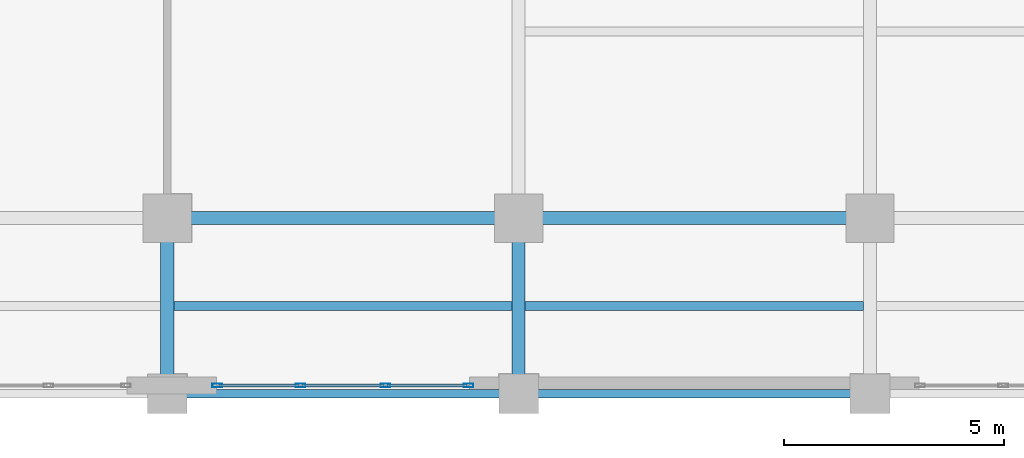
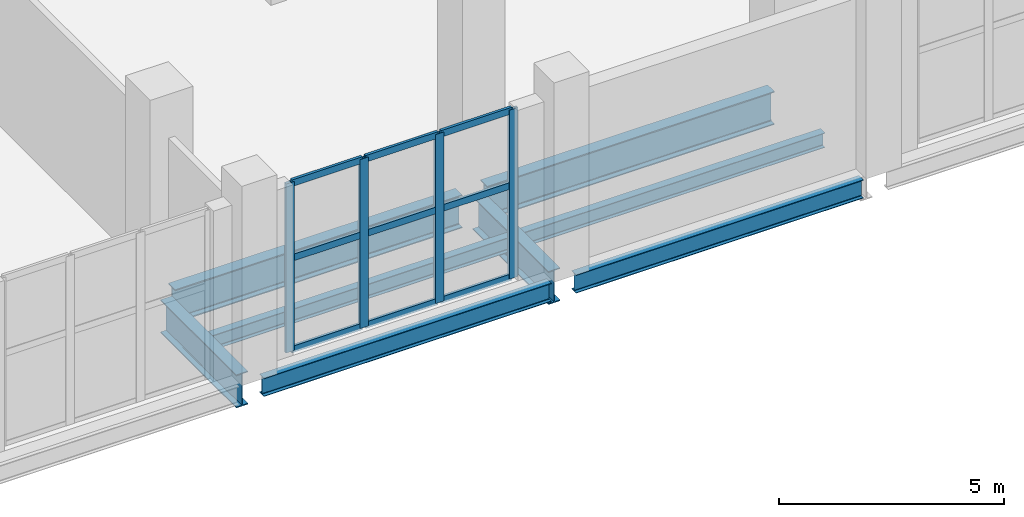
# One storey, part 4 of 18: 13 members, 8 beams, 1 element without a shape of its own.
"""IFC4 building model written with IfcOpenShell, lengths in metres."""

from ifc_helpers import new_model, si_unit, direction, frame, origin, origin_2d, place, context, subcontext, project, spatial, hollow_rectangle, i_section, extrude, material, layer, layer_set, material_profile, profile_set, type_object, element, aggregate, save


model = new_model("IFC4")

# Units and contexts
model_context = context("Model", 3, precision=1e-05, world=origin(), true_north=direction((0.0, 1.0)))
body_context = subcontext(model_context, "Body", "Model", "MODEL_VIEW")
ifc_project = project(units=[si_unit("LENGTHUNIT", "METRE"), si_unit("AREAUNIT", "SQUARE_METRE"), si_unit("VOLUMEUNIT", "CUBIC_METRE"), si_unit("PLANEANGLEUNIT", "RADIAN"), si_unit("MASSUNIT", "GRAM", prefix="KILO")], contexts=[model_context])

# Site, building, storey
site_placement = place(None, origin())
site = spatial("IfcSite", under=ifc_project, at=site_placement, CompositionType="ELEMENT")
building_placement = place(site_placement, origin())
building = spatial("IfcBuilding", under=site, at=building_placement, Name="Qianrong Seaharbour Tower", CompositionType="ELEMENT")
storey_placement = place(building_placement, frame((0.0, 0.0, 6.0)))
storey = spatial("IfcBuildingStorey", under=building, at=storey_placement, Name="L02", CompositionType="ELEMENT", Elevation=6.0)

# Beams
ifc_material_1 = material(Name="Structural steel SN490B", Category="steel")
ifc_material_profile_1 = material_profile(ifc_material_1, i_section(OverallWidth=0.300048828125, OverallDepth=0.89990234375, WebThickness=0.01611328125, FlangeThickness=0.028076171875, FilletRadius=0.028076171875, at=origin_2d()), Name="H900x300x16x28")
ifc_profile_set_1 = profile_set([ifc_material_profile_1], Name="Structural steel SN490B")
beam_type_1 = type_object("IfcBeamType", Name="BM-G-900", PredefinedType="BEAM", material=ifc_profile_set_1)
for number, where, z_axis, x_axis, name in (
    (1, (16.820068359375, 4.0, -0.72998046875), (1.0, 0.0, 0.0), (0.0, 1.0, 0.0), "L02 Primary Girder GB G3-G4"),
    (2, (24.820068359375, 4.0, -0.72998046875), (1.0, 0.0, 0.0), (0.0, 1.0, 0.0), "L02 Primary Girder GB G4-G5"),
):
    element("IfcBeam", number, at=place(storey_placement, frame(where, z_axis=z_axis, x_axis=x_axis)), inside=storey, type_object=beam_type_1, Name=name, PredefinedType="BEAM", context=body_context, shape_type="SweptSolid", body=[
        extrude(i_section(OverallWidth=0.300048828125, OverallDepth=0.89990234375, WebThickness=0.01611328125, FlangeThickness=0.028076171875, FilletRadius=0.028076171875, at=origin_2d()), origin(), (0.0, 0.0, 1.0), 7.35986328125),
    ])
for number, where, z_axis, x_axis, name in (
    (3, (16.5, 0.320068359375, -0.72998046875), (0.0, 1.0, 0.0), (-1.0, 0.0, 0.0), "L02 Primary Girder G3 GA-GB"),
    (4, (24.5, 0.320068359375, -0.72998046875), (0.0, 1.0, 0.0), (-1.0, 0.0, 0.0), "L02 Primary Girder G4 GA-GB"),
):
    element("IfcBeam", number, at=place(storey_placement, frame(where, z_axis=z_axis, x_axis=x_axis)), inside=storey, type_object=beam_type_1, Name=name, PredefinedType="BEAM", context=body_context, shape_type="SweptSolid", body=[
        extrude(i_section(OverallWidth=0.300048828125, OverallDepth=0.89990234375, WebThickness=0.01611328125, FlangeThickness=0.028076171875, FilletRadius=0.028076171875, at=origin_2d()), origin(), (0.0, 0.0, 1.0), 3.35986328125),
    ])
ifc_material_2 = material(Name="Structural steel SN400B", Category="steel")
ifc_material_profile_2 = material_profile(ifc_material_2, i_section(OverallWidth=0.199951171875, OverallDepth=0.39990234375, WebThickness=0.008056640625, FlangeThickness=0.012939453125, FilletRadius=0.01611328125, at=origin_2d()), Name="H400x200x8x13")
ifc_profile_set_2 = profile_set([ifc_material_profile_2], Name="Structural steel SN400B")
beam_type_2 = type_object("IfcBeamType", Name="BM-J-400", PredefinedType="JOIST", material=ifc_profile_set_2)
for number, where, z_axis, x_axis, name in (
    (5, (16.64990234375, 2.0, -0.47998046875), (1.0, 0.0, 0.0), (0.0, 1.0, 0.0), "L02 Composite Floor Joist G3-G4/GA-GB"),
    (6, (24.64990234375, 2.0, -0.47998046875), (1.0, 0.0, 0.0), (0.0, 1.0, 0.0), "L02 Composite Floor Joist G4-G5/GA-GB"),
):
    element("IfcBeam", number, at=place(storey_placement, frame(where, z_axis=z_axis, x_axis=x_axis)), inside=storey, type_object=beam_type_2, Name=name, PredefinedType="JOIST", context=body_context, shape_type="SweptSolid", body=[
        extrude(i_section(OverallWidth=0.199951171875, OverallDepth=0.39990234375, WebThickness=0.008056640625, FlangeThickness=0.012939453125, FilletRadius=0.01611328125, at=origin_2d()), origin(), (0.0, 0.0, 1.0), 7.7001953125),
    ])
ifc_material_profile_3 = material_profile(ifc_material_1, i_section(OverallWidth=0.199951171875, OverallDepth=0.5, WebThickness=0.010009765625, FlangeThickness=0.01611328125, FilletRadius=0.02001953125, at=origin_2d()), Name="H500x200x10x16")
ifc_profile_set_3 = profile_set([ifc_material_profile_3], Name="Structural steel SN490B")
beam_type_3 = type_object("IfcBeamType", Name="BM-SP-500", PredefinedType="SPANDREL", material=ifc_profile_set_3)
for number, where, z_axis, x_axis, name in (
    (7, (16.820068359375, 0.0, -0.530029296875), (1.0, 0.0, 0.0), (0.0, 1.0, 0.0), "L02 Spandrel Girder GA G3-G4"),
    (8, (24.820068359375, 0.0, -0.530029296875), (1.0, 0.0, 0.0), (0.0, 1.0, 0.0), "L02 Spandrel Girder GA G4-G5"),
):
    element("IfcBeam", number, at=place(storey_placement, frame(where, z_axis=z_axis, x_axis=x_axis)), inside=storey, type_object=beam_type_3, Name=name, PredefinedType="SPANDREL", context=body_context, shape_type="SweptSolid", body=[
        extrude(i_section(OverallWidth=0.199951171875, OverallDepth=0.5, WebThickness=0.010009765625, FlangeThickness=0.01611328125, FilletRadius=0.02001953125, at=origin_2d()), origin(), (0.0, 0.0, 1.0), 7.35986328125),
    ])

# Curtain wall, members
ifc_material_3 = material(Name="Anodised aluminium 6063-T6 and laminated low-e glass", Category="aluminium")
ifc_layer = layer(ifc_material_3, 0.219970703125)
ifc_layer_set = layer_set([ifc_layer], Name="Anodised aluminium 6063-T6 and laminated low-e glass")
curtain_wall_type = type_object("IfcCurtainWallType", Name="CW-SYS-1", PredefinedType="NOTDEFINED", material=ifc_layer_set)
curtain_wall_placement = place(storey_placement, origin())
curtain_wall = element("IfcCurtainWall", 9, at=curtain_wall_placement, inside=storey, type_object=curtain_wall_type, Name="L02 Waterfront Colonnade Curtain Wall Bay 2", PredefinedType="NOTDEFINED")
ifc_material_4 = material(Name="Extruded aluminium 6063-T6", Category="aluminium")
ifc_material_profile_4 = material_profile(ifc_material_4, hollow_rectangle(XDim=0.080078125, YDim=0.219970703125, WallThickness=0.0048828125, at=origin_2d()), Name="ALU-MUL-220x80x5")
ifc_profile_set_4 = profile_set([ifc_material_profile_4], Name="Extruded aluminium 6063-T6")
member_type_1 = type_object("IfcMemberType", Name="CW-MUL-220", PredefinedType="MULLION", material=ifc_profile_set_4)
member_1_placement = place(storey_placement, frame((23.360107421875, 0.18994140625, 0.0), z_axis=(0.0, 0.0, 1.0), x_axis=(0.0, -1.0, 0.0)))
member_1 = element("IfcMember", 10, at=member_1_placement, type_object=member_type_1, Name="CW-1 mullion 1", PredefinedType="MULLION", context=body_context, shape_type="SweptSolid", body=[
    extrude(hollow_rectangle(XDim=0.080078125, YDim=0.219970703125, WallThickness=0.0048828125, at=origin_2d()), origin(), (0.0, 0.0, 1.0), 4.580078125),
])
member_2_placement = place(storey_placement, frame((21.466552734375, 0.18994140625, 0.0), z_axis=(0.0, 0.0, 1.0), x_axis=(0.0, -1.0, 0.0)))
member_2 = element("IfcMember", 11, at=member_2_placement, type_object=member_type_1, Name="CW-1 mullion 2", PredefinedType="MULLION", context=body_context, shape_type="SweptSolid", body=[
    extrude(hollow_rectangle(XDim=0.080078125, YDim=0.219970703125, WallThickness=0.0048828125, at=origin_2d()), origin(), (0.0, 0.0, 1.0), 4.580078125),
])
member_3_placement = place(storey_placement, frame((19.533447265625, 0.18994140625, 0.0), z_axis=(0.0, 0.0, 1.0), x_axis=(0.0, -1.0, 0.0)))
member_3 = element("IfcMember", 12, at=member_3_placement, type_object=member_type_1, Name="CW-1 mullion 3", PredefinedType="MULLION", context=body_context, shape_type="SweptSolid", body=[
    extrude(hollow_rectangle(XDim=0.080078125, YDim=0.219970703125, WallThickness=0.0048828125, at=origin_2d()), origin(), (0.0, 0.0, 1.0), 4.580078125),
])
member_4_placement = place(storey_placement, frame((17.639892578125, 0.18994140625, 0.0), z_axis=(0.0, 0.0, 1.0), x_axis=(0.0, -1.0, 0.0)))
member_4 = element("IfcMember", 13, at=member_4_placement, type_object=member_type_1, Name="CW-1 mullion 4", PredefinedType="MULLION", context=body_context, shape_type="SweptSolid", body=[
    extrude(hollow_rectangle(XDim=0.080078125, YDim=0.219970703125, WallThickness=0.0048828125, at=origin_2d()), origin(), (0.0, 0.0, 1.0), 4.580078125),
])
ifc_material_profile_5 = material_profile(ifc_material_4, hollow_rectangle(XDim=0.070068359375, YDim=0.179931640625, WallThickness=0.00390625, at=origin_2d()), Name="ALU-TRN-180x70x4")
ifc_profile_set_5 = profile_set([ifc_material_profile_5], Name="Extruded aluminium 6063-T6")
member_type_2 = type_object("IfcMemberType", Name="CW-TRN-180", PredefinedType="USERDEFINED", material=ifc_profile_set_5)
member_5_placement = place(storey_placement, frame((23.320068359375, 0.18994140625, 0.034912109375), z_axis=(-1.0, 0.0, 0.0), x_axis=(0.0, -1.0, 0.0)))
member_5 = element("IfcMember", 14, at=member_5_placement, type_object=member_type_2, Name="CW-1 transom 1.1", ObjectType="TRANSOM", PredefinedType="USERDEFINED", context=body_context, shape_type="SweptSolid", body=[
    extrude(hollow_rectangle(XDim=0.070068359375, YDim=0.179931640625, WallThickness=0.00390625, at=origin_2d()), origin(), (0.0, 0.0, 1.0), 1.8134765625),
])
member_6_placement = place(storey_placement, frame((23.320068359375, 0.18994140625, 2.51904296875), z_axis=(-1.0, 0.0, 0.0), x_axis=(0.0, -1.0, 0.0)))
member_6 = element("IfcMember", 15, at=member_6_placement, type_object=member_type_2, Name="CW-1 transom 1.2", ObjectType="TRANSOM", PredefinedType="USERDEFINED", context=body_context, shape_type="SweptSolid", body=[
    extrude(hollow_rectangle(XDim=0.070068359375, YDim=0.179931640625, WallThickness=0.00390625, at=origin_2d()), origin(), (0.0, 0.0, 1.0), 1.8134765625),
])
member_7_placement = place(storey_placement, frame((23.320068359375, 0.18994140625, 4.544921875), z_axis=(-1.0, 0.0, 0.0), x_axis=(0.0, -1.0, 0.0)))
member_7 = element("IfcMember", 16, at=member_7_placement, type_object=member_type_2, Name="CW-1 transom 1.3", ObjectType="TRANSOM", PredefinedType="USERDEFINED", context=body_context, shape_type="SweptSolid", body=[
    extrude(hollow_rectangle(XDim=0.070068359375, YDim=0.179931640625, WallThickness=0.00390625, at=origin_2d()), origin(), (0.0, 0.0, 1.0), 1.8134765625),
])
member_8_placement = place(storey_placement, frame((21.4267578125, 0.18994140625, 0.034912109375), z_axis=(-1.0, 0.0, 0.0), x_axis=(0.0, -1.0, 0.0)))
member_8 = element("IfcMember", 17, at=member_8_placement, type_object=member_type_2, Name="CW-1 transom 2.1", ObjectType="TRANSOM", PredefinedType="USERDEFINED", context=body_context, shape_type="SweptSolid", body=[
    extrude(hollow_rectangle(XDim=0.070068359375, YDim=0.179931640625, WallThickness=0.00390625, at=origin_2d()), origin(), (0.0, 0.0, 1.0), 1.853515625),
])
member_9_placement = place(storey_placement, frame((21.4267578125, 0.18994140625, 2.51904296875), z_axis=(-1.0, 0.0, 0.0), x_axis=(0.0, -1.0, 0.0)))
member_9 = element("IfcMember", 18, at=member_9_placement, type_object=member_type_2, Name="CW-1 transom 2.2", ObjectType="TRANSOM", PredefinedType="USERDEFINED", context=body_context, shape_type="SweptSolid", body=[
    extrude(hollow_rectangle(XDim=0.070068359375, YDim=0.179931640625, WallThickness=0.00390625, at=origin_2d()), origin(), (0.0, 0.0, 1.0), 1.853515625),
])
member_10_placement = place(storey_placement, frame((21.4267578125, 0.18994140625, 4.544921875), z_axis=(-1.0, 0.0, 0.0), x_axis=(0.0, -1.0, 0.0)))
member_10 = element("IfcMember", 19, at=member_10_placement, type_object=member_type_2, Name="CW-1 transom 2.3", ObjectType="TRANSOM", PredefinedType="USERDEFINED", context=body_context, shape_type="SweptSolid", body=[
    extrude(hollow_rectangle(XDim=0.070068359375, YDim=0.179931640625, WallThickness=0.00390625, at=origin_2d()), origin(), (0.0, 0.0, 1.0), 1.853515625),
])
member_11_placement = place(storey_placement, frame((19.493408203125, 0.18994140625, 0.034912109375), z_axis=(-1.0, 0.0, 0.0), x_axis=(0.0, -1.0, 0.0)))
member_11 = element("IfcMember", 20, at=member_11_placement, type_object=member_type_2, Name="CW-1 transom 3.1", ObjectType="TRANSOM", PredefinedType="USERDEFINED", context=body_context, shape_type="SweptSolid", body=[
    extrude(hollow_rectangle(XDim=0.070068359375, YDim=0.179931640625, WallThickness=0.00390625, at=origin_2d()), origin(), (0.0, 0.0, 1.0), 1.8134765625),
])
member_12_placement = place(storey_placement, frame((19.493408203125, 0.18994140625, 2.51904296875), z_axis=(-1.0, 0.0, 0.0), x_axis=(0.0, -1.0, 0.0)))
member_12 = element("IfcMember", 21, at=member_12_placement, type_object=member_type_2, Name="CW-1 transom 3.2", ObjectType="TRANSOM", PredefinedType="USERDEFINED", context=body_context, shape_type="SweptSolid", body=[
    extrude(hollow_rectangle(XDim=0.070068359375, YDim=0.179931640625, WallThickness=0.00390625, at=origin_2d()), origin(), (0.0, 0.0, 1.0), 1.8134765625),
])
member_13_placement = place(storey_placement, frame((19.493408203125, 0.18994140625, 4.544921875), z_axis=(-1.0, 0.0, 0.0), x_axis=(0.0, -1.0, 0.0)))
member_13 = element("IfcMember", 22, at=member_13_placement, type_object=member_type_2, Name="CW-1 transom 3.3", ObjectType="TRANSOM", PredefinedType="USERDEFINED", context=body_context, shape_type="SweptSolid", body=[
    extrude(hollow_rectangle(XDim=0.070068359375, YDim=0.179931640625, WallThickness=0.00390625, at=origin_2d()), origin(), (0.0, 0.0, 1.0), 1.8134765625),
])
aggregate(curtain_wall, [member_1, member_2, member_3, member_4, member_5, member_6, member_7, member_8, member_9, member_10, member_11, member_12, member_13])

save(model, "model.ifc")
